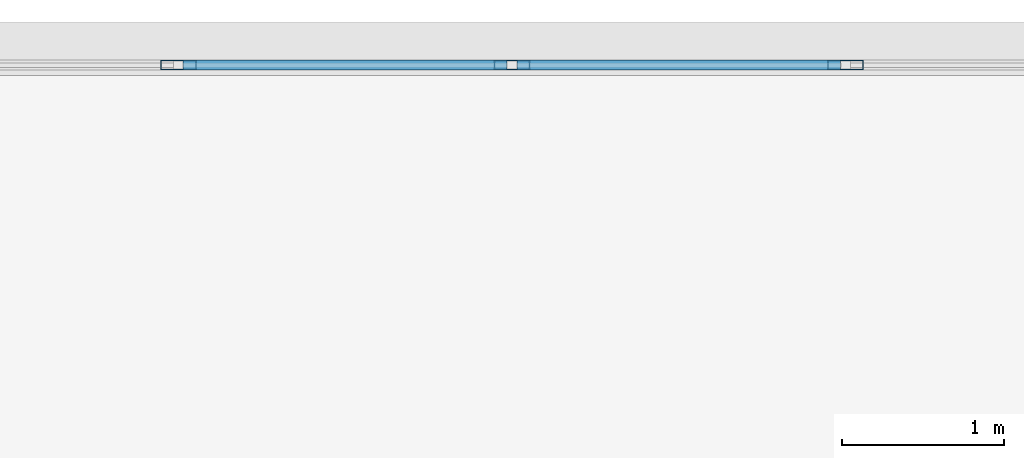
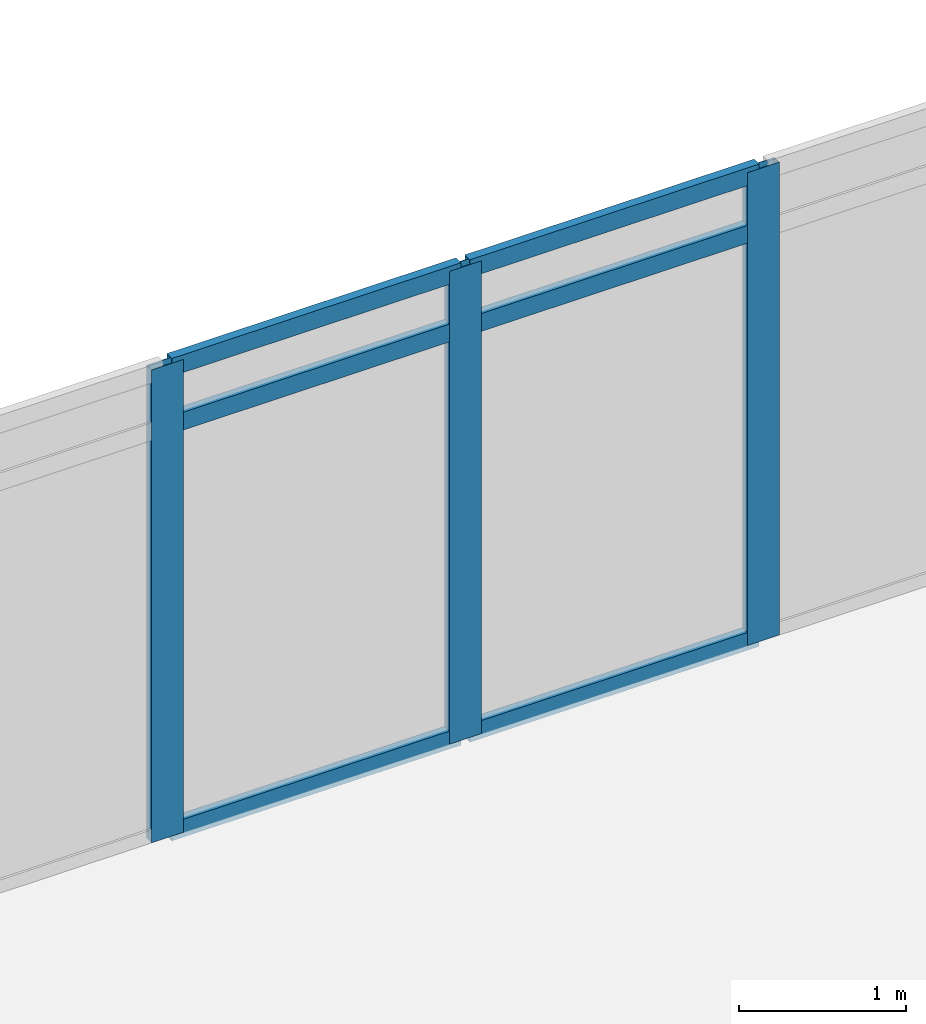
# One storey, part 15 of 28: 9 members, 1 element without a shape of its own.
"""IFC4 building model written with IfcOpenShell, lengths in metres."""

from ifc_helpers import new_model, si_unit, direction, frame, origin, origin_2d, place, context, subcontext, project, spatial, hollow_rectangle, extrude, material, material_profile, profile_set, type_object, element, aggregate, save


model = new_model("IFC4")

# Units and contexts
model_context = context("Model", 3, precision=1e-05, world=origin(), true_north=direction((0.0, 1.0)))
body_context = subcontext(model_context, "Body", "Model", "MODEL_VIEW")
ifc_project = project(units=[si_unit("LENGTHUNIT", "METRE"), si_unit("AREAUNIT", "SQUARE_METRE"), si_unit("VOLUMEUNIT", "CUBIC_METRE"), si_unit("PLANEANGLEUNIT", "RADIAN"), si_unit("MASSUNIT", "GRAM", prefix="KILO")], contexts=[model_context])

# Site, building, storey
site_placement = place(None, origin())
site = spatial("IfcSite", under=ifc_project, at=site_placement, CompositionType="ELEMENT")
building_placement = place(site_placement, origin())
building = spatial("IfcBuilding", under=site, at=building_placement, Name="Ostrander Bayou Hotel Tower", CompositionType="ELEMENT")
storey_placement = place(building_placement, frame((0.0, 0.0, 142.25)))
storey = spatial("IfcBuildingStorey", under=building, at=storey_placement, Name="L35", CompositionType="ELEMENT", Elevation=142.25)

# Curtain wall, members
ifc_material_1 = material(Name="Aluminium and clear glass", Category="aluminium")
curtain_wall_type = type_object("IfcCurtainWallType", Name="CW-BAR glazed wall", PredefinedType="NOTDEFINED", material=ifc_material_1)
curtain_wall_placement = place(storey_placement, origin())
curtain_wall = element("IfcCurtainWall", 1, at=curtain_wall_placement, inside=storey, type_object=curtain_wall_type, Name="CW-BAR L35:SB3N:T", PredefinedType="NOTDEFINED")
ifc_material_2 = material(Name="Aluminium", Category="aluminium")
ifc_material_profile_1 = material_profile(ifc_material_2, hollow_rectangle(XDim=0.06005859375, YDim=0.219970703125, WallThickness=0.00390625, at=origin_2d()))
ifc_profile_set_1 = profile_set([ifc_material_profile_1], Name="Aluminium")
member_type_1 = type_object("IfcMemberType", Name="CW-BR mullion 60 x 220 mm", PredefinedType="MULLION", material=ifc_profile_set_1)
member_1_placement = place(storey_placement, frame((-5.14111328125, 29.037109375, 0.0), z_axis=(0.0, 0.0, 1.0), x_axis=(0.0, 1.0, 0.0)))
member_1 = element("IfcMember", 2, at=member_1_placement, type_object=member_type_1, Name="CW-BAR mullion 5", PredefinedType="MULLION", context=body_context, shape_type="SweptSolid", body=[
    extrude(hollow_rectangle(XDim=0.06005859375, YDim=0.219970703125, WallThickness=0.00390625, at=origin_2d()), origin(), (0.0, 0.0, 1.0), 3.449951171875),
])
member_2_placement = place(storey_placement, frame((-3.084716796875, 29.037109375, 0.0), z_axis=(0.0, 0.0, 1.0), x_axis=(0.0, 1.0, 0.0)))
member_2 = element("IfcMember", 3, at=member_2_placement, type_object=member_type_1, Name="CW-BAR mullion 6", PredefinedType="MULLION", context=body_context, shape_type="SweptSolid", body=[
    extrude(hollow_rectangle(XDim=0.06005859375, YDim=0.219970703125, WallThickness=0.00390625, at=origin_2d()), origin(), (0.0, 0.0, 1.0), 3.449951171875),
])
member_3_placement = place(storey_placement, frame((-1.0283203125, 29.037109375, 0.0), z_axis=(0.0, 0.0, 1.0), x_axis=(0.0, 1.0, 0.0)))
member_3 = element("IfcMember", 4, at=member_3_placement, type_object=member_type_1, Name="CW-BAR mullion 7", PredefinedType="MULLION", context=body_context, shape_type="SweptSolid", body=[
    extrude(hollow_rectangle(XDim=0.06005859375, YDim=0.219970703125, WallThickness=0.00390625, at=origin_2d()), origin(), (0.0, 0.0, 1.0), 3.449951171875),
])
ifc_material_3 = material(Name="Aluminium", Category="aluminium")
ifc_material_profile_2 = material_profile(ifc_material_3, hollow_rectangle(XDim=0.06005859375, YDim=0.1298828125, WallThickness=0.00390625, at=origin_2d()))
ifc_profile_set_2 = profile_set([ifc_material_profile_2], Name="Aluminium")
member_type_2 = type_object("IfcMemberType", Name="CW-BR transom 60 x 130 mm", PredefinedType="USERDEFINED", material=ifc_profile_set_2)
member_4_placement = place(storey_placement, frame((-5.111328125, 29.037109375, 0.030029296875), z_axis=(1.0, 0.0, 0.0), x_axis=(0.0, 1.0, 0.0)))
member_4 = element("IfcMember", 5, at=member_4_placement, type_object=member_type_2, Name="CW-BAR transom 5.1", ObjectType="TRANSOM", PredefinedType="USERDEFINED", context=body_context, shape_type="SweptSolid", body=[
    extrude(hollow_rectangle(XDim=0.06005859375, YDim=0.1298828125, WallThickness=0.00390625, at=origin_2d()), origin(), (0.0, 0.0, 1.0), 1.99658203125),
])
member_5_placement = place(storey_placement, frame((-5.111328125, 29.037109375, 3.0), z_axis=(1.0, 0.0, 0.0), x_axis=(0.0, 1.0, 0.0)))
member_5 = element("IfcMember", 6, at=member_5_placement, type_object=member_type_2, Name="CW-BAR transom 5.2", ObjectType="TRANSOM", PredefinedType="USERDEFINED", context=body_context, shape_type="SweptSolid", body=[
    extrude(hollow_rectangle(XDim=0.06005859375, YDim=0.1298828125, WallThickness=0.00390625, at=origin_2d()), origin(), (0.0, 0.0, 1.0), 1.99658203125),
])
member_6_placement = place(storey_placement, frame((-5.111328125, 29.037109375, 3.419921875), z_axis=(1.0, 0.0, 0.0), x_axis=(0.0, 1.0, 0.0)))
member_6 = element("IfcMember", 7, at=member_6_placement, type_object=member_type_2, Name="CW-BAR transom 5.3", ObjectType="TRANSOM", PredefinedType="USERDEFINED", context=body_context, shape_type="SweptSolid", body=[
    extrude(hollow_rectangle(XDim=0.06005859375, YDim=0.1298828125, WallThickness=0.00390625, at=origin_2d()), origin(), (0.0, 0.0, 1.0), 1.99658203125),
])
member_7_placement = place(storey_placement, frame((-3.0546875, 29.037109375, 0.030029296875), z_axis=(1.0, 0.0, 0.0), x_axis=(0.0, 1.0, 0.0)))
member_7 = element("IfcMember", 8, at=member_7_placement, type_object=member_type_2, Name="CW-BAR transom 6.1", ObjectType="TRANSOM", PredefinedType="USERDEFINED", context=body_context, shape_type="SweptSolid", body=[
    extrude(hollow_rectangle(XDim=0.06005859375, YDim=0.1298828125, WallThickness=0.00390625, at=origin_2d()), origin(), (0.0, 0.0, 1.0), 1.996337890625),
])
member_8_placement = place(storey_placement, frame((-3.0546875, 29.037109375, 3.0), z_axis=(1.0, 0.0, 0.0), x_axis=(0.0, 1.0, 0.0)))
member_8 = element("IfcMember", 9, at=member_8_placement, type_object=member_type_2, Name="CW-BAR transom 6.2", ObjectType="TRANSOM", PredefinedType="USERDEFINED", context=body_context, shape_type="SweptSolid", body=[
    extrude(hollow_rectangle(XDim=0.06005859375, YDim=0.1298828125, WallThickness=0.00390625, at=origin_2d()), origin(), (0.0, 0.0, 1.0), 1.996337890625),
])
member_9_placement = place(storey_placement, frame((-3.0546875, 29.037109375, 3.419921875), z_axis=(1.0, 0.0, 0.0), x_axis=(0.0, 1.0, 0.0)))
member_9 = element("IfcMember", 10, at=member_9_placement, type_object=member_type_2, Name="CW-BAR transom 6.3", ObjectType="TRANSOM", PredefinedType="USERDEFINED", context=body_context, shape_type="SweptSolid", body=[
    extrude(hollow_rectangle(XDim=0.06005859375, YDim=0.1298828125, WallThickness=0.00390625, at=origin_2d()), origin(), (0.0, 0.0, 1.0), 1.996337890625),
])
aggregate(curtain_wall, [member_1, member_2, member_3, member_4, member_5, member_6, member_7, member_8, member_9])

save(model, "model.ifc")
